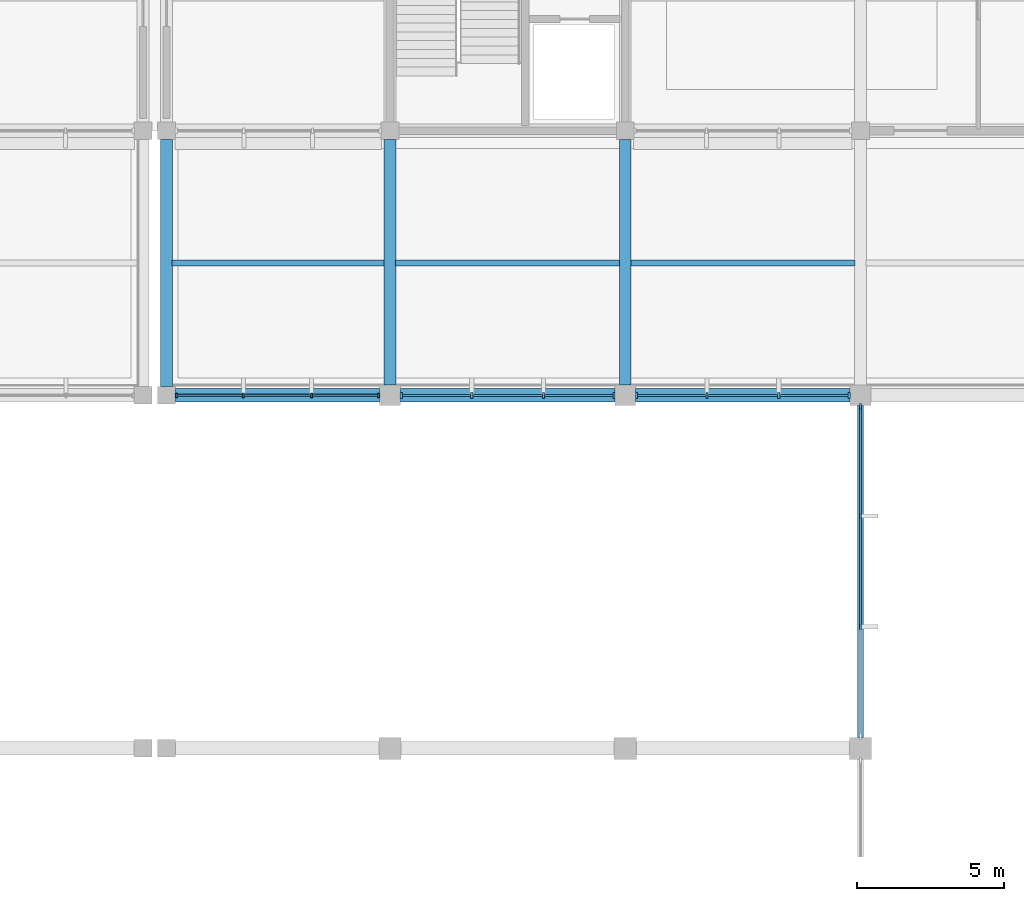
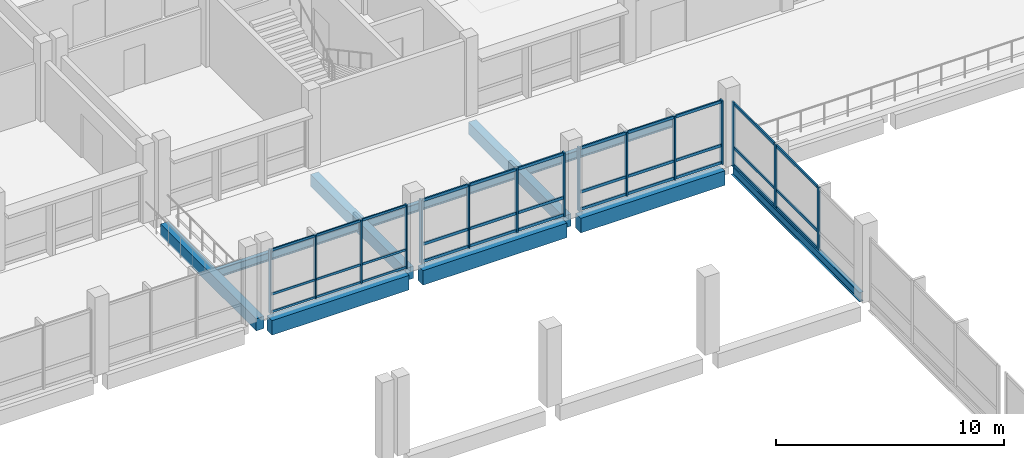
# One storey, part 23 of 70: 48 members, 10 beams, 4 elements without a shape of their own.
"""IFC4 building model written with IfcOpenShell, lengths in metres."""

from ifc_helpers import new_model, si_unit, direction, frame, origin, origin_2d, place, context, subcontext, project, spatial, rectangle, i_section, extrude, material, material_profile, profile_set, type_object, element, aggregate, save


model = new_model("IFC4")

# Units and contexts
model_context = context("Model", 3, precision=1e-05, world=origin(), true_north=direction((0.0, 1.0)))
body_context = subcontext(model_context, "Body", "Model", "MODEL_VIEW")
ifc_project = project(units=[si_unit("LENGTHUNIT", "METRE"), si_unit("AREAUNIT", "SQUARE_METRE"), si_unit("VOLUMEUNIT", "CUBIC_METRE"), si_unit("PLANEANGLEUNIT", "RADIAN"), si_unit("MASSUNIT", "GRAM", prefix="KILO"), si_unit("THERMODYNAMICTEMPERATUREUNIT", "KELVIN"), si_unit("POWERUNIT", "WATT")], contexts=[model_context])

# Site, building, storey
site_placement = place(None, origin())
site = spatial("IfcSite", under=ifc_project, at=site_placement, CompositionType="ELEMENT")
building_placement = place(site_placement, origin())
building = spatial("IfcBuilding", under=site, at=building_placement, Name="Kronsvod Quay Wholesale Market", CompositionType="ELEMENT")
storey_placement = place(building_placement, frame((0.0, 0.0, 9.0)))
storey = spatial("IfcBuildingStorey", under=building, at=storey_placement, Name="L02", CompositionType="ELEMENT", Elevation=9.0)

# Beams
ifc_material_1 = material(Name="Precast concrete C40/50", Category="concrete")
ifc_material_profile_1 = material_profile(ifc_material_1, rectangle(XDim=0.39990234375, YDim=0.64990234375, at=origin_2d()), Name="PCB400x650")
ifc_profile_set_1 = profile_set([ifc_material_profile_1], Name="Precast concrete C40/50")
beam_type_1 = type_object("IfcBeamType", Name="Beam_PCB400x650", PredefinedType="BEAM", material=ifc_profile_set_1)
beam_1_placement = place(storey_placement, frame((64.39990234375, 90.300048828125, -0.635009765625), z_axis=(0.0, 1.0, 0.0), x_axis=(-1.0, 0.0, 0.0)))
element("IfcBeam", 1, at=beam_1_placement, inside=storey, type_object=beam_type_1, Name="BMY-L02-644-900", PredefinedType="BEAM", context=body_context, shape_type="SweptSolid", body=[
    extrude(rectangle(XDim=0.39990234375, YDim=0.64990234375, at=origin_2d()), origin(), (0.0, 0.0, 1.0), 8.39990234375),
])
for number, where, z_axis, x_axis, name in (
    (2, (72.0, 90.35009765625, -0.635009765625), (0.0, 1.0, 0.0), (-1.0, 0.0, 0.0), "BMY-L02-720-900"),
    (3, (80.0, 90.35009765625, -0.635009765625), (0.0, 1.0, 0.0), (-1.0, 0.0, 0.0), "BMY-L02-800-900"),
):
    element("IfcBeam", number, at=place(storey_placement, frame(where, z_axis=z_axis, x_axis=x_axis)), inside=storey, type_object=beam_type_1, Name=name, PredefinedType="BEAM", context=body_context, shape_type="SweptSolid", body=[
        extrude(rectangle(XDim=0.39990234375, YDim=0.64990234375, at=origin_2d()), origin(), (0.0, 0.0, 1.0), 8.349853515625),
    ])
ifc_material_2 = material(Name="Precast concrete C40/50", Category="concrete")
ifc_material_profile_2 = material_profile(ifc_material_2, rectangle(XDim=0.4599609375, YDim=0.780029296875, at=origin_2d()), Name="PB-03")
ifc_profile_set_2 = profile_set([ifc_material_profile_2], Name="Precast concrete C40/50")
beam_type_2 = type_object("IfcBeamType", Name="Beam_PCB460x780", PredefinedType="BEAM", material=ifc_profile_set_2)
beam_2_placement = place(storey_placement, frame((64.699951171875, 90.0, -0.64990234375), z_axis=(1.0, 0.0, 0.0), x_axis=(0.0, 1.0, 0.0)))
element("IfcBeam", 4, at=beam_2_placement, inside=storey, type_object=beam_type_2, Name="BMX-L02-644-900", PredefinedType="BEAM", context=body_context, shape_type="SweptSolid", body=[
    extrude(rectangle(XDim=0.4599609375, YDim=0.780029296875, at=origin_2d()), origin(), (0.0, 0.0, 1.0), 6.949951171875),
])
for number, where, z_axis, x_axis, name in (
    (5, (72.35009765625, 90.0, -0.64990234375), (1.0, 0.0, 0.0), (0.0, 1.0, 0.0), "BMX-L02-720-900"),
    (6, (80.35009765625, 90.0, -0.64990234375), (1.0, 0.0, 0.0), (0.0, 1.0, 0.0), "BMX-L02-800-900"),
):
    element("IfcBeam", number, at=place(storey_placement, frame(where, z_axis=z_axis, x_axis=x_axis)), inside=storey, type_object=beam_type_2, Name=name, PredefinedType="BEAM", context=body_context, shape_type="SweptSolid", body=[
        extrude(rectangle(XDim=0.4599609375, YDim=0.780029296875, at=origin_2d()), origin(), (0.0, 0.0, 1.0), 7.2998046875),
    ])
ifc_material_3 = material(Name="Steel S355", Category="steel")
ifc_material_profile_3 = material_profile(ifc_material_3, i_section(OverallWidth=0.198974609375, OverallDepth=0.446044921875, WebThickness=0.008056640625, FlangeThickness=0.011962890625, FilletRadius=0.01806640625, at=origin_2d()), Name="45B1")
ifc_profile_set_3 = profile_set([ifc_material_profile_3], Name="Steel S355")
beam_type_3 = type_object("IfcBeamType", Name="Beam_Steel45B1", PredefinedType="BEAM", material=ifc_profile_set_3)
beam_3_placement = place(storey_placement, frame((64.594970703125, 94.5, -0.532958984375), z_axis=(1.0, 0.0, 0.0), x_axis=(0.0, 1.0, 0.0)))
element("IfcBeam", 7, at=beam_3_placement, inside=storey, type_object=beam_type_3, Name="JSTX-L02-644-900", PredefinedType="BEAM", context=body_context, shape_type="SweptSolid", body=[
    extrude(i_section(OverallWidth=0.198974609375, OverallDepth=0.446044921875, WebThickness=0.008056640625, FlangeThickness=0.011962890625, FilletRadius=0.01806640625, at=origin_2d()), origin(), (0.0, 0.0, 1.0), 7.2099609375),
])
for number, where, z_axis, x_axis, name in (
    (8, (72.195068359375, 94.5, -0.532958984375), (1.0, 0.0, 0.0), (0.0, 1.0, 0.0), "JSTX-L02-720-900"),
    (9, (80.195068359375, 94.5, -0.532958984375), (1.0, 0.0, 0.0), (0.0, 1.0, 0.0), "JSTX-L02-800-900"),
):
    element("IfcBeam", number, at=place(storey_placement, frame(where, z_axis=z_axis, x_axis=x_axis)), inside=storey, type_object=beam_type_3, Name=name, PredefinedType="BEAM", context=body_context, shape_type="SweptSolid", body=[
        extrude(i_section(OverallWidth=0.198974609375, OverallDepth=0.446044921875, WebThickness=0.008056640625, FlangeThickness=0.011962890625, FilletRadius=0.01806640625, at=origin_2d()), origin(), (0.0, 0.0, 1.0), 7.60986328125),
    ])
ifc_material_4 = material(Name="Steel S355", Category="steel")
ifc_material_profile_4 = material_profile(ifc_material_4, i_section(OverallWidth=0.198974609375, OverallDepth=0.49609375, WebThickness=0.009033203125, FlangeThickness=0.013916015625, FilletRadius=0.02001953125, at=origin_2d()), Name="50B1")
ifc_profile_set_4 = profile_set([ifc_material_profile_4], Name="Steel S355")
beam_type_4 = type_object("IfcBeamType", Name="Girder_Steel50B1", PredefinedType="T_BEAM", material=ifc_profile_set_4)
beam_4_placement = place(storey_placement, frame((88.0, 78.375, -0.22802734375), z_axis=(0.0, 1.0, 0.0), x_axis=(-1.0, 0.0, 0.0)))
element("IfcBeam", 10, at=beam_4_placement, inside=storey, type_object=beam_type_4, Name="BMY-L02-880-780", PredefinedType="T_BEAM", context=body_context, shape_type="SweptSolid", body=[
    extrude(i_section(OverallWidth=0.198974609375, OverallDepth=0.49609375, WebThickness=0.009033203125, FlangeThickness=0.013916015625, FilletRadius=0.02001953125, at=origin_2d()), origin(), (0.0, 0.0, 1.0), 11.27490234375),
])

# Curtain wall, members
ifc_material_5 = material(Name="Thermally broken aluminium and triple low-E glazing", Category="aluminium")
curtain_wall_type_1 = type_object("IfcCurtainWallType", Name="CW_Clerestory80x32", PredefinedType="NOTDEFINED", material=ifc_material_5)
curtain_wall_1_placement = place(storey_placement, origin())
curtain_wall_1 = element("IfcCurtainWall", 11, at=curtain_wall_1_placement, inside=storey, type_object=curtain_wall_type_1, Name="CWGX-L02-644-900", PredefinedType="NOTDEFINED")
ifc_material_6 = material(Name="Anodised aluminium", Category="aluminium")
ifc_material_profile_5 = material_profile(ifc_material_6, rectangle(XDim=0.06494140625, YDim=0.159912109375, at=origin_2d()), Name="ALUM65x160")
ifc_profile_set_5 = profile_set([ifc_material_profile_5], Name="Anodised aluminium")
member_type_1 = type_object("IfcMemberType", Name="Mullion_ALU65x160", PredefinedType="MULLION", material=ifc_profile_set_5)
member_1_placement = place(storey_placement, frame((71.62255859375, 90.0, 0.0), z_axis=(0.0, 0.0, 1.0), x_axis=(1.0, 0.0, 0.0)))
member_1 = element("IfcMember", 12, at=member_1_placement, type_object=member_type_1, Name="CWGX-L02-644-900-M1", PredefinedType="MULLION", context=body_context, shape_type="SweptSolid", body=[
    extrude(rectangle(XDim=0.06494140625, YDim=0.159912109375, at=origin_2d()), origin(), (0.0, 0.0, 1.0), 3.419921875),
])
member_2_placement = place(storey_placement, frame((69.3349609375, 90.0, 0.0), z_axis=(0.0, 0.0, 1.0), x_axis=(1.0, 0.0, 0.0)))
member_2 = element("IfcMember", 13, at=member_2_placement, type_object=member_type_1, Name="CWGX-L02-644-900-M2", PredefinedType="MULLION", context=body_context, shape_type="SweptSolid", body=[
    extrude(rectangle(XDim=0.06494140625, YDim=0.159912109375, at=origin_2d()), origin(), (0.0, 0.0, 1.0), 3.419921875),
])
member_3_placement = place(storey_placement, frame((67.014892578125, 90.0, 0.0), z_axis=(0.0, 0.0, 1.0), x_axis=(1.0, 0.0, 0.0)))
member_3 = element("IfcMember", 14, at=member_3_placement, type_object=member_type_1, Name="CWGX-L02-644-900-M3", PredefinedType="MULLION", context=body_context, shape_type="SweptSolid", body=[
    extrude(rectangle(XDim=0.06494140625, YDim=0.159912109375, at=origin_2d()), origin(), (0.0, 0.0, 1.0), 3.419921875),
])
member_4_placement = place(storey_placement, frame((64.7275390625, 90.0, 0.0), z_axis=(0.0, 0.0, 1.0), x_axis=(1.0, 0.0, 0.0)))
member_4 = element("IfcMember", 15, at=member_4_placement, type_object=member_type_1, Name="CWGX-L02-644-900-M4", PredefinedType="MULLION", context=body_context, shape_type="SweptSolid", body=[
    extrude(rectangle(XDim=0.06494140625, YDim=0.159912109375, at=origin_2d()), origin(), (0.0, 0.0, 1.0), 3.419921875),
])

curtain_wall_2_placement = place(storey_placement, origin())
curtain_wall_2 = element("IfcCurtainWall", 16, at=curtain_wall_2_placement, inside=storey, type_object=curtain_wall_type_1, Name="CWGX-L02-720-900", PredefinedType="NOTDEFINED")
ifc_material_7 = material(Name="Anodised aluminium", Category="aluminium")
ifc_material_profile_6 = material_profile(ifc_material_7, rectangle(XDim=0.074951171875, YDim=0.199951171875, at=origin_2d()), Name="ALUM75x200")
ifc_profile_set_6 = profile_set([ifc_material_profile_6], Name="Anodised aluminium")
member_type_2 = type_object("IfcMemberType", Name="Mullion_ALU75x200", PredefinedType="MULLION", material=ifc_profile_set_6)
member_5_placement = place(storey_placement, frame((79.617431640625, 90.0, 0.0), z_axis=(0.0, 0.0, 1.0), x_axis=(1.0, 0.0, 0.0)))
member_5 = element("IfcMember", 17, at=member_5_placement, type_object=member_type_2, Name="CWGX-L02-720-900-M1", PredefinedType="MULLION", context=body_context, shape_type="SweptSolid", body=[
    extrude(rectangle(XDim=0.074951171875, YDim=0.199951171875, at=origin_2d()), origin(), (0.0, 0.0, 1.0), 3.419921875),
])
member_6_placement = place(storey_placement, frame((77.21826171875, 90.0, 0.0), z_axis=(0.0, 0.0, 1.0), x_axis=(1.0, 0.0, 0.0)))
member_6 = element("IfcMember", 18, at=member_6_placement, type_object=member_type_2, Name="CWGX-L02-720-900-M2", PredefinedType="MULLION", context=body_context, shape_type="SweptSolid", body=[
    extrude(rectangle(XDim=0.074951171875, YDim=0.199951171875, at=origin_2d()), origin(), (0.0, 0.0, 1.0), 3.419921875),
])
member_7_placement = place(storey_placement, frame((74.78173828125, 90.0, 0.0), z_axis=(0.0, 0.0, 1.0), x_axis=(1.0, 0.0, 0.0)))
member_7 = element("IfcMember", 19, at=member_7_placement, type_object=member_type_2, Name="CWGX-L02-720-900-M3", PredefinedType="MULLION", context=body_context, shape_type="SweptSolid", body=[
    extrude(rectangle(XDim=0.074951171875, YDim=0.199951171875, at=origin_2d()), origin(), (0.0, 0.0, 1.0), 3.419921875),
])
member_8_placement = place(storey_placement, frame((72.382568359375, 90.0, 0.0), z_axis=(0.0, 0.0, 1.0), x_axis=(1.0, 0.0, 0.0)))
member_8 = element("IfcMember", 20, at=member_8_placement, type_object=member_type_2, Name="CWGX-L02-720-900-M4", PredefinedType="MULLION", context=body_context, shape_type="SweptSolid", body=[
    extrude(rectangle(XDim=0.074951171875, YDim=0.199951171875, at=origin_2d()), origin(), (0.0, 0.0, 1.0), 3.419921875),
])

curtain_wall_3_placement = place(storey_placement, origin())
curtain_wall_3 = element("IfcCurtainWall", 21, at=curtain_wall_3_placement, inside=storey, type_object=curtain_wall_type_1, Name="CWGX-L02-800-900", PredefinedType="NOTDEFINED")
member_9_placement = place(storey_placement, frame((87.617431640625, 90.0, 0.0), z_axis=(0.0, 0.0, 1.0), x_axis=(1.0, 0.0, 0.0)))
member_9 = element("IfcMember", 22, at=member_9_placement, type_object=member_type_2, Name="CWGX-L02-800-900-M1", PredefinedType="MULLION", context=body_context, shape_type="SweptSolid", body=[
    extrude(rectangle(XDim=0.074951171875, YDim=0.199951171875, at=origin_2d()), origin(), (0.0, 0.0, 1.0), 3.419921875),
])
member_10_placement = place(storey_placement, frame((85.21826171875, 90.0, 0.0), z_axis=(0.0, 0.0, 1.0), x_axis=(1.0, 0.0, 0.0)))
member_10 = element("IfcMember", 23, at=member_10_placement, type_object=member_type_2, Name="CWGX-L02-800-900-M2", PredefinedType="MULLION", context=body_context, shape_type="SweptSolid", body=[
    extrude(rectangle(XDim=0.074951171875, YDim=0.199951171875, at=origin_2d()), origin(), (0.0, 0.0, 1.0), 3.419921875),
])
member_11_placement = place(storey_placement, frame((82.78173828125, 90.0, 0.0), z_axis=(0.0, 0.0, 1.0), x_axis=(1.0, 0.0, 0.0)))
member_11 = element("IfcMember", 24, at=member_11_placement, type_object=member_type_2, Name="CWGX-L02-800-900-M3", PredefinedType="MULLION", context=body_context, shape_type="SweptSolid", body=[
    extrude(rectangle(XDim=0.074951171875, YDim=0.199951171875, at=origin_2d()), origin(), (0.0, 0.0, 1.0), 3.419921875),
])
member_12_placement = place(storey_placement, frame((80.382568359375, 90.0, 0.0), z_axis=(0.0, 0.0, 1.0), x_axis=(1.0, 0.0, 0.0)))
member_12 = element("IfcMember", 25, at=member_12_placement, type_object=member_type_2, Name="CWGX-L02-800-900-M4", PredefinedType="MULLION", context=body_context, shape_type="SweptSolid", body=[
    extrude(rectangle(XDim=0.074951171875, YDim=0.199951171875, at=origin_2d()), origin(), (0.0, 0.0, 1.0), 3.419921875),
])

ifc_material_8 = material(Name="Thermally broken aluminium and triple low-E glazing", Category="aluminium")
curtain_wall_type_2 = type_object("IfcCurtainWallType", Name="CW_Court120x35", PredefinedType="NOTDEFINED", material=ifc_material_8)
curtain_wall_4_placement = place(storey_placement, origin())
curtain_wall_4 = element("IfcCurtainWall", 26, at=curtain_wall_4_placement, inside=storey, type_object=curtain_wall_type_2, Name="CWGY-L02-880-780", PredefinedType="NOTDEFINED")
member_13_placement = place(storey_placement, frame((88.0, 82.131591796875, 0.0), z_axis=(0.0, 0.0, 1.0), x_axis=(1.0, 0.0, 0.0)))
member_13 = element("IfcMember", 27, at=member_13_placement, type_object=member_type_2, Name="CWGY-L02-880-780-M2", PredefinedType="MULLION", context=body_context, shape_type="SweptSolid", body=[
    extrude(rectangle(XDim=0.074951171875, YDim=0.199951171875, at=origin_2d()), origin(), (0.0, 0.0, 1.0), 3.419921875),
])
member_14_placement = place(storey_placement, frame((88.0, 85.893310546875, 0.0), z_axis=(0.0, 0.0, 1.0), x_axis=(1.0, 0.0, 0.0)))
member_14 = element("IfcMember", 28, at=member_14_placement, type_object=member_type_2, Name="CWGY-L02-880-780-M3", PredefinedType="MULLION", context=body_context, shape_type="SweptSolid", body=[
    extrude(rectangle(XDim=0.074951171875, YDim=0.199951171875, at=origin_2d()), origin(), (0.0, 0.0, 1.0), 3.419921875),
])
member_15_placement = place(storey_placement, frame((88.0, 89.617431640625, 0.0), z_axis=(0.0, 0.0, 1.0), x_axis=(1.0, 0.0, 0.0)))
member_15 = element("IfcMember", 29, at=member_15_placement, type_object=member_type_2, Name="CWGY-L02-880-780-M4", PredefinedType="MULLION", context=body_context, shape_type="SweptSolid", body=[
    extrude(rectangle(XDim=0.074951171875, YDim=0.199951171875, at=origin_2d()), origin(), (0.0, 0.0, 1.0), 3.419921875),
])

# Member
ifc_material_9 = material(Name="Anodised aluminium", Category="aluminium")
ifc_material_profile_7 = material_profile(ifc_material_9, rectangle(XDim=0.06494140625, YDim=0.1201171875, at=origin_2d()), Name="ALUT65x120")
ifc_profile_set_7 = profile_set([ifc_material_profile_7], Name="Anodised aluminium")
member_type_3 = type_object("IfcMemberType", Name="Transom_ALU65x120", PredefinedType="USERDEFINED", material=ifc_profile_set_7)
member_16_placement = place(storey_placement, frame((71.590087890625, 90.0, 0.06005859375), z_axis=(-1.0, 0.0, 0.0), x_axis=(0.0, -1.0, 0.0)))
member_16 = element("IfcMember", 30, at=member_16_placement, type_object=member_type_3, Name="CWGX-L02-644-900-T1B1", ObjectType="TRANSOM", PredefinedType="USERDEFINED", context=body_context, shape_type="SweptSolid", body=[
    extrude(rectangle(XDim=0.06494140625, YDim=0.1201171875, at=origin_2d()), origin(), (0.0, 0.0, 1.0), 2.22265625),
])

member_17_placement = place(storey_placement, frame((69.302490234375, 90.0, 0.06005859375), z_axis=(-1.0, 0.0, 0.0), x_axis=(0.0, -1.0, 0.0)))
member_17 = element("IfcMember", 31, at=member_17_placement, type_object=member_type_3, Name="CWGX-L02-644-900-T1B2", ObjectType="TRANSOM", PredefinedType="USERDEFINED", context=body_context, shape_type="SweptSolid", body=[
    extrude(rectangle(XDim=0.06494140625, YDim=0.1201171875, at=origin_2d()), origin(), (0.0, 0.0, 1.0), 2.2548828125),
])

member_18_placement = place(storey_placement, frame((66.982421875, 90.0, 0.06005859375), z_axis=(-1.0, 0.0, 0.0), x_axis=(0.0, -1.0, 0.0)))
member_18 = element("IfcMember", 32, at=member_18_placement, type_object=member_type_3, Name="CWGX-L02-644-900-T1B3", ObjectType="TRANSOM", PredefinedType="USERDEFINED", context=body_context, shape_type="SweptSolid", body=[
    extrude(rectangle(XDim=0.06494140625, YDim=0.1201171875, at=origin_2d()), origin(), (0.0, 0.0, 1.0), 2.222412109375),
])

member_19_placement = place(storey_placement, frame((71.590087890625, 90.0, 1.0), z_axis=(-1.0, 0.0, 0.0), x_axis=(0.0, -1.0, 0.0)))
member_19 = element("IfcMember", 33, at=member_19_placement, type_object=member_type_3, Name="CWGX-L02-644-900-T2B1", ObjectType="TRANSOM", PredefinedType="USERDEFINED", context=body_context, shape_type="SweptSolid", body=[
    extrude(rectangle(XDim=0.06494140625, YDim=0.1201171875, at=origin_2d()), origin(), (0.0, 0.0, 1.0), 2.22265625),
])

member_20_placement = place(storey_placement, frame((69.302490234375, 90.0, 1.0), z_axis=(-1.0, 0.0, 0.0), x_axis=(0.0, -1.0, 0.0)))
member_20 = element("IfcMember", 34, at=member_20_placement, type_object=member_type_3, Name="CWGX-L02-644-900-T2B2", ObjectType="TRANSOM", PredefinedType="USERDEFINED", context=body_context, shape_type="SweptSolid", body=[
    extrude(rectangle(XDim=0.06494140625, YDim=0.1201171875, at=origin_2d()), origin(), (0.0, 0.0, 1.0), 2.2548828125),
])

member_21_placement = place(storey_placement, frame((66.982421875, 90.0, 1.0), z_axis=(-1.0, 0.0, 0.0), x_axis=(0.0, -1.0, 0.0)))
member_21 = element("IfcMember", 35, at=member_21_placement, type_object=member_type_3, Name="CWGX-L02-644-900-T2B3", ObjectType="TRANSOM", PredefinedType="USERDEFINED", context=body_context, shape_type="SweptSolid", body=[
    extrude(rectangle(XDim=0.06494140625, YDim=0.1201171875, at=origin_2d()), origin(), (0.0, 0.0, 1.0), 2.222412109375),
])

member_22_placement = place(storey_placement, frame((71.590087890625, 90.0, 3.360107421875), z_axis=(-1.0, 0.0, 0.0), x_axis=(0.0, -1.0, 0.0)))
member_22 = element("IfcMember", 36, at=member_22_placement, type_object=member_type_3, Name="CWGX-L02-644-900-T3B1", ObjectType="TRANSOM", PredefinedType="USERDEFINED", context=body_context, shape_type="SweptSolid", body=[
    extrude(rectangle(XDim=0.06494140625, YDim=0.1201171875, at=origin_2d()), origin(), (0.0, 0.0, 1.0), 2.22265625),
])

member_23_placement = place(storey_placement, frame((69.302490234375, 90.0, 3.360107421875), z_axis=(-1.0, 0.0, 0.0), x_axis=(0.0, -1.0, 0.0)))
member_23 = element("IfcMember", 37, at=member_23_placement, type_object=member_type_3, Name="CWGX-L02-644-900-T3B2", ObjectType="TRANSOM", PredefinedType="USERDEFINED", context=body_context, shape_type="SweptSolid", body=[
    extrude(rectangle(XDim=0.06494140625, YDim=0.1201171875, at=origin_2d()), origin(), (0.0, 0.0, 1.0), 2.2548828125),
])

member_24_placement = place(storey_placement, frame((66.982421875, 90.0, 3.360107421875), z_axis=(-1.0, 0.0, 0.0), x_axis=(0.0, -1.0, 0.0)))
member_24 = element("IfcMember", 38, at=member_24_placement, type_object=member_type_3, Name="CWGX-L02-644-900-T3B3", ObjectType="TRANSOM", PredefinedType="USERDEFINED", context=body_context, shape_type="SweptSolid", body=[
    extrude(rectangle(XDim=0.06494140625, YDim=0.1201171875, at=origin_2d()), origin(), (0.0, 0.0, 1.0), 2.222412109375),
])

aggregate(curtain_wall_1, [member_1, member_2, member_3, member_4, member_16, member_17, member_18, member_19, member_20, member_21, member_22, member_23, member_24])

ifc_material_10 = material(Name="Anodised aluminium", Category="aluminium")
ifc_material_profile_8 = material_profile(ifc_material_10, rectangle(XDim=0.074951171875, YDim=0.14990234375, at=origin_2d()), Name="ALUT75x150")
ifc_profile_set_8 = profile_set([ifc_material_profile_8], Name="Anodised aluminium")
member_type_4 = type_object("IfcMemberType", Name="Transom_ALU75x150", PredefinedType="USERDEFINED", material=ifc_profile_set_8)
member_25_placement = place(storey_placement, frame((79.580078125, 90.0, 0.074951171875), z_axis=(-1.0, 0.0, 0.0), x_axis=(0.0, -1.0, 0.0)))
member_25 = element("IfcMember", 39, at=member_25_placement, type_object=member_type_4, Name="CWGX-L02-720-900-T1B1", ObjectType="TRANSOM", PredefinedType="USERDEFINED", context=body_context, shape_type="SweptSolid", body=[
    extrude(rectangle(XDim=0.074951171875, YDim=0.14990234375, at=origin_2d()), origin(), (0.0, 0.0, 1.0), 2.32421875),
])

member_26_placement = place(storey_placement, frame((77.180908203125, 90.0, 0.074951171875), z_axis=(-1.0, 0.0, 0.0), x_axis=(0.0, -1.0, 0.0)))
member_26 = element("IfcMember", 40, at=member_26_placement, type_object=member_type_4, Name="CWGX-L02-720-900-T1B2", ObjectType="TRANSOM", PredefinedType="USERDEFINED", context=body_context, shape_type="SweptSolid", body=[
    extrude(rectangle(XDim=0.074951171875, YDim=0.14990234375, at=origin_2d()), origin(), (0.0, 0.0, 1.0), 2.36181640625),
])

member_27_placement = place(storey_placement, frame((74.744140625, 90.0, 0.074951171875), z_axis=(-1.0, 0.0, 0.0), x_axis=(0.0, -1.0, 0.0)))
member_27 = element("IfcMember", 41, at=member_27_placement, type_object=member_type_4, Name="CWGX-L02-720-900-T1B3", ObjectType="TRANSOM", PredefinedType="USERDEFINED", context=body_context, shape_type="SweptSolid", body=[
    extrude(rectangle(XDim=0.074951171875, YDim=0.14990234375, at=origin_2d()), origin(), (0.0, 0.0, 1.0), 2.32421875),
])

member_28_placement = place(storey_placement, frame((79.580078125, 90.0, 1.0), z_axis=(-1.0, 0.0, 0.0), x_axis=(0.0, -1.0, 0.0)))
member_28 = element("IfcMember", 42, at=member_28_placement, type_object=member_type_4, Name="CWGX-L02-720-900-T2B1", ObjectType="TRANSOM", PredefinedType="USERDEFINED", context=body_context, shape_type="SweptSolid", body=[
    extrude(rectangle(XDim=0.074951171875, YDim=0.14990234375, at=origin_2d()), origin(), (0.0, 0.0, 1.0), 2.32421875),
])

member_29_placement = place(storey_placement, frame((77.180908203125, 90.0, 1.0), z_axis=(-1.0, 0.0, 0.0), x_axis=(0.0, -1.0, 0.0)))
member_29 = element("IfcMember", 43, at=member_29_placement, type_object=member_type_4, Name="CWGX-L02-720-900-T2B2", ObjectType="TRANSOM", PredefinedType="USERDEFINED", context=body_context, shape_type="SweptSolid", body=[
    extrude(rectangle(XDim=0.074951171875, YDim=0.14990234375, at=origin_2d()), origin(), (0.0, 0.0, 1.0), 2.36181640625),
])

member_30_placement = place(storey_placement, frame((74.744140625, 90.0, 1.0), z_axis=(-1.0, 0.0, 0.0), x_axis=(0.0, -1.0, 0.0)))
member_30 = element("IfcMember", 44, at=member_30_placement, type_object=member_type_4, Name="CWGX-L02-720-900-T2B3", ObjectType="TRANSOM", PredefinedType="USERDEFINED", context=body_context, shape_type="SweptSolid", body=[
    extrude(rectangle(XDim=0.074951171875, YDim=0.14990234375, at=origin_2d()), origin(), (0.0, 0.0, 1.0), 2.32421875),
])

member_31_placement = place(storey_placement, frame((79.580078125, 90.0, 3.344970703125), z_axis=(-1.0, 0.0, 0.0), x_axis=(0.0, -1.0, 0.0)))
member_31 = element("IfcMember", 45, at=member_31_placement, type_object=member_type_4, Name="CWGX-L02-720-900-T3B1", ObjectType="TRANSOM", PredefinedType="USERDEFINED", context=body_context, shape_type="SweptSolid", body=[
    extrude(rectangle(XDim=0.074951171875, YDim=0.14990234375, at=origin_2d()), origin(), (0.0, 0.0, 1.0), 2.32421875),
])

member_32_placement = place(storey_placement, frame((77.180908203125, 90.0, 3.344970703125), z_axis=(-1.0, 0.0, 0.0), x_axis=(0.0, -1.0, 0.0)))
member_32 = element("IfcMember", 46, at=member_32_placement, type_object=member_type_4, Name="CWGX-L02-720-900-T3B2", ObjectType="TRANSOM", PredefinedType="USERDEFINED", context=body_context, shape_type="SweptSolid", body=[
    extrude(rectangle(XDim=0.074951171875, YDim=0.14990234375, at=origin_2d()), origin(), (0.0, 0.0, 1.0), 2.36181640625),
])

member_33_placement = place(storey_placement, frame((74.744140625, 90.0, 3.344970703125), z_axis=(-1.0, 0.0, 0.0), x_axis=(0.0, -1.0, 0.0)))
member_33 = element("IfcMember", 47, at=member_33_placement, type_object=member_type_4, Name="CWGX-L02-720-900-T3B3", ObjectType="TRANSOM", PredefinedType="USERDEFINED", context=body_context, shape_type="SweptSolid", body=[
    extrude(rectangle(XDim=0.074951171875, YDim=0.14990234375, at=origin_2d()), origin(), (0.0, 0.0, 1.0), 2.32421875),
])

aggregate(curtain_wall_2, [member_5, member_6, member_7, member_8, member_25, member_26, member_27, member_28, member_29, member_30, member_31, member_32, member_33])

member_34_placement = place(storey_placement, frame((87.580078125, 90.0, 0.074951171875), z_axis=(-1.0, 0.0, 0.0), x_axis=(0.0, -1.0, 0.0)))
member_34 = element("IfcMember", 48, at=member_34_placement, type_object=member_type_4, Name="CWGX-L02-800-900-T1B1", ObjectType="TRANSOM", PredefinedType="USERDEFINED", context=body_context, shape_type="SweptSolid", body=[
    extrude(rectangle(XDim=0.074951171875, YDim=0.14990234375, at=origin_2d()), origin(), (0.0, 0.0, 1.0), 2.32421875),
])

member_35_placement = place(storey_placement, frame((85.180908203125, 90.0, 0.074951171875), z_axis=(-1.0, 0.0, 0.0), x_axis=(0.0, -1.0, 0.0)))
member_35 = element("IfcMember", 49, at=member_35_placement, type_object=member_type_4, Name="CWGX-L02-800-900-T1B2", ObjectType="TRANSOM", PredefinedType="USERDEFINED", context=body_context, shape_type="SweptSolid", body=[
    extrude(rectangle(XDim=0.074951171875, YDim=0.14990234375, at=origin_2d()), origin(), (0.0, 0.0, 1.0), 2.36181640625),
])

member_36_placement = place(storey_placement, frame((82.744140625, 90.0, 0.074951171875), z_axis=(-1.0, 0.0, 0.0), x_axis=(0.0, -1.0, 0.0)))
member_36 = element("IfcMember", 50, at=member_36_placement, type_object=member_type_4, Name="CWGX-L02-800-900-T1B3", ObjectType="TRANSOM", PredefinedType="USERDEFINED", context=body_context, shape_type="SweptSolid", body=[
    extrude(rectangle(XDim=0.074951171875, YDim=0.14990234375, at=origin_2d()), origin(), (0.0, 0.0, 1.0), 2.32421875),
])

member_37_placement = place(storey_placement, frame((87.580078125, 90.0, 1.0), z_axis=(-1.0, 0.0, 0.0), x_axis=(0.0, -1.0, 0.0)))
member_37 = element("IfcMember", 51, at=member_37_placement, type_object=member_type_4, Name="CWGX-L02-800-900-T2B1", ObjectType="TRANSOM", PredefinedType="USERDEFINED", context=body_context, shape_type="SweptSolid", body=[
    extrude(rectangle(XDim=0.074951171875, YDim=0.14990234375, at=origin_2d()), origin(), (0.0, 0.0, 1.0), 2.32421875),
])

member_38_placement = place(storey_placement, frame((85.180908203125, 90.0, 1.0), z_axis=(-1.0, 0.0, 0.0), x_axis=(0.0, -1.0, 0.0)))
member_38 = element("IfcMember", 52, at=member_38_placement, type_object=member_type_4, Name="CWGX-L02-800-900-T2B2", ObjectType="TRANSOM", PredefinedType="USERDEFINED", context=body_context, shape_type="SweptSolid", body=[
    extrude(rectangle(XDim=0.074951171875, YDim=0.14990234375, at=origin_2d()), origin(), (0.0, 0.0, 1.0), 2.36181640625),
])

member_39_placement = place(storey_placement, frame((82.744140625, 90.0, 1.0), z_axis=(-1.0, 0.0, 0.0), x_axis=(0.0, -1.0, 0.0)))
member_39 = element("IfcMember", 53, at=member_39_placement, type_object=member_type_4, Name="CWGX-L02-800-900-T2B3", ObjectType="TRANSOM", PredefinedType="USERDEFINED", context=body_context, shape_type="SweptSolid", body=[
    extrude(rectangle(XDim=0.074951171875, YDim=0.14990234375, at=origin_2d()), origin(), (0.0, 0.0, 1.0), 2.32421875),
])

member_40_placement = place(storey_placement, frame((87.580078125, 90.0, 3.344970703125), z_axis=(-1.0, 0.0, 0.0), x_axis=(0.0, -1.0, 0.0)))
member_40 = element("IfcMember", 54, at=member_40_placement, type_object=member_type_4, Name="CWGX-L02-800-900-T3B1", ObjectType="TRANSOM", PredefinedType="USERDEFINED", context=body_context, shape_type="SweptSolid", body=[
    extrude(rectangle(XDim=0.074951171875, YDim=0.14990234375, at=origin_2d()), origin(), (0.0, 0.0, 1.0), 2.32421875),
])

member_41_placement = place(storey_placement, frame((85.180908203125, 90.0, 3.344970703125), z_axis=(-1.0, 0.0, 0.0), x_axis=(0.0, -1.0, 0.0)))
member_41 = element("IfcMember", 55, at=member_41_placement, type_object=member_type_4, Name="CWGX-L02-800-900-T3B2", ObjectType="TRANSOM", PredefinedType="USERDEFINED", context=body_context, shape_type="SweptSolid", body=[
    extrude(rectangle(XDim=0.074951171875, YDim=0.14990234375, at=origin_2d()), origin(), (0.0, 0.0, 1.0), 2.36181640625),
])

member_42_placement = place(storey_placement, frame((82.744140625, 90.0, 3.344970703125), z_axis=(-1.0, 0.0, 0.0), x_axis=(0.0, -1.0, 0.0)))
member_42 = element("IfcMember", 56, at=member_42_placement, type_object=member_type_4, Name="CWGX-L02-800-900-T3B3", ObjectType="TRANSOM", PredefinedType="USERDEFINED", context=body_context, shape_type="SweptSolid", body=[
    extrude(rectangle(XDim=0.074951171875, YDim=0.14990234375, at=origin_2d()), origin(), (0.0, 0.0, 1.0), 2.32421875),
])

aggregate(curtain_wall_3, [member_9, member_10, member_11, member_12, member_34, member_35, member_36, member_37, member_38, member_39, member_40, member_41, member_42])

member_43_placement = place(storey_placement, frame((88.0, 82.169189453125, 0.074951171875), z_axis=(0.0, 1.0, 0.0), x_axis=(-1.0, 0.0, 0.0)))
member_43 = element("IfcMember", 57, at=member_43_placement, type_object=member_type_4, Name="CWGY-L02-880-780-T1B2", ObjectType="TRANSOM", PredefinedType="USERDEFINED", context=body_context, shape_type="SweptSolid", body=[
    extrude(rectangle(XDim=0.074951171875, YDim=0.14990234375, at=origin_2d()), origin(), (0.0, 0.0, 1.0), 3.6865234375),
])

member_44_placement = place(storey_placement, frame((88.0, 85.930908203125, 0.074951171875), z_axis=(0.0, 1.0, 0.0), x_axis=(-1.0, 0.0, 0.0)))
member_44 = element("IfcMember", 58, at=member_44_placement, type_object=member_type_4, Name="CWGY-L02-880-780-T1B3", ObjectType="TRANSOM", PredefinedType="USERDEFINED", context=body_context, shape_type="SweptSolid", body=[
    extrude(rectangle(XDim=0.074951171875, YDim=0.14990234375, at=origin_2d()), origin(), (0.0, 0.0, 1.0), 3.649169921875),
])

member_45_placement = place(storey_placement, frame((88.0, 82.169189453125, 1.0), z_axis=(0.0, 1.0, 0.0), x_axis=(-1.0, 0.0, 0.0)))
member_45 = element("IfcMember", 59, at=member_45_placement, type_object=member_type_4, Name="CWGY-L02-880-780-T2B2", ObjectType="TRANSOM", PredefinedType="USERDEFINED", context=body_context, shape_type="SweptSolid", body=[
    extrude(rectangle(XDim=0.074951171875, YDim=0.14990234375, at=origin_2d()), origin(), (0.0, 0.0, 1.0), 3.6865234375),
])

member_46_placement = place(storey_placement, frame((88.0, 85.930908203125, 1.0), z_axis=(0.0, 1.0, 0.0), x_axis=(-1.0, 0.0, 0.0)))
member_46 = element("IfcMember", 60, at=member_46_placement, type_object=member_type_4, Name="CWGY-L02-880-780-T2B3", ObjectType="TRANSOM", PredefinedType="USERDEFINED", context=body_context, shape_type="SweptSolid", body=[
    extrude(rectangle(XDim=0.074951171875, YDim=0.14990234375, at=origin_2d()), origin(), (0.0, 0.0, 1.0), 3.649169921875),
])

member_47_placement = place(storey_placement, frame((88.0, 82.169189453125, 3.344970703125), z_axis=(0.0, 1.0, 0.0), x_axis=(-1.0, 0.0, 0.0)))
member_47 = element("IfcMember", 61, at=member_47_placement, type_object=member_type_4, Name="CWGY-L02-880-780-T3B2", ObjectType="TRANSOM", PredefinedType="USERDEFINED", context=body_context, shape_type="SweptSolid", body=[
    extrude(rectangle(XDim=0.074951171875, YDim=0.14990234375, at=origin_2d()), origin(), (0.0, 0.0, 1.0), 3.6865234375),
])

member_48_placement = place(storey_placement, frame((88.0, 85.930908203125, 3.344970703125), z_axis=(0.0, 1.0, 0.0), x_axis=(-1.0, 0.0, 0.0)))
member_48 = element("IfcMember", 62, at=member_48_placement, type_object=member_type_4, Name="CWGY-L02-880-780-T3B3", ObjectType="TRANSOM", PredefinedType="USERDEFINED", context=body_context, shape_type="SweptSolid", body=[
    extrude(rectangle(XDim=0.074951171875, YDim=0.14990234375, at=origin_2d()), origin(), (0.0, 0.0, 1.0), 3.649169921875),
])

aggregate(curtain_wall_4, [member_13, member_14, member_15, member_43, member_44, member_45, member_46, member_47, member_48])

save(model, "model.ifc")
